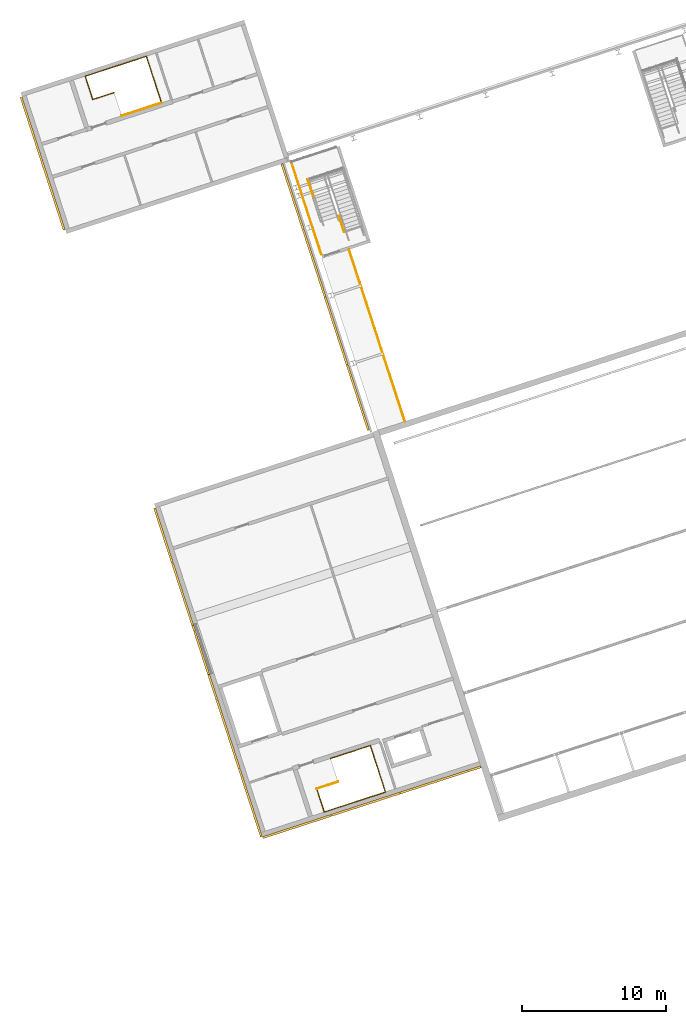
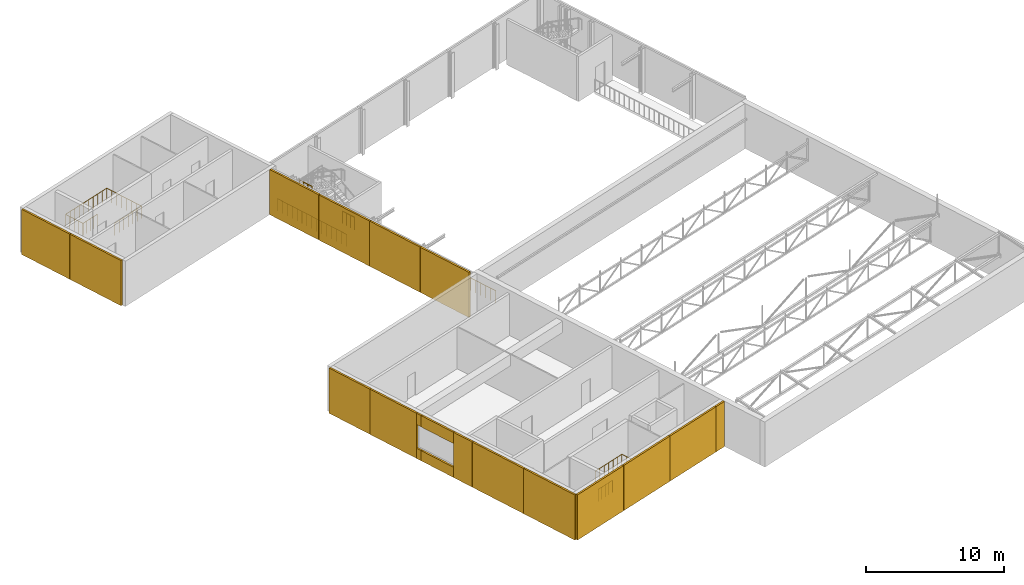
# One storey, part 77 of 81: 19 coverings, 8 railings.
"""IFC4 building model written with IfcOpenShell, lengths in metres."""

from ifc_helpers import new_model, si_unit, direction, frame, origin, origin_2d, place, context, subcontext, project, spatial, polyline, circle, outline, extrude, material, layer, layer_set, type_object, element, save


model = new_model("IFC4")

# Units and contexts
model_context = context("Model", 3, precision=1e-05, world=origin(), true_north=direction((0.0, 1.0)))
body_context = subcontext(model_context, "Body", "Model", "MODEL_VIEW")
ifc_project = project(units=[si_unit("LENGTHUNIT", "METRE"), si_unit("AREAUNIT", "SQUARE_METRE"), si_unit("VOLUMEUNIT", "CUBIC_METRE"), si_unit("PLANEANGLEUNIT", "RADIAN"), si_unit("MASSUNIT", "GRAM", prefix="KILO")], contexts=[model_context])

# Site, building, storey
site_placement = place(None, origin())
site = spatial("IfcSite", under=ifc_project, at=site_placement, CompositionType="ELEMENT")
building_placement = place(site_placement, origin())
building = spatial("IfcBuilding", under=site, at=building_placement, Name="Tuart Plaza Theatre", CompositionType="ELEMENT")
storey_placement = place(building_placement, frame((0.0, 0.0, 17.5)))
storey = spatial("IfcBuildingStorey", under=building, at=storey_placement, Name="L04", CompositionType="ELEMENT", Elevation=17.5)

# Coverings
ifc_material_1 = material(Name="Zinc")
ifc_layer = layer(ifc_material_1, 0.14990234375)
ifc_layer_set = layer_set([ifc_layer], Name="COVERING-ZINC-RAINSCREEN150")
covering_type = type_object("IfcCoveringType", Name="COVERING-ZINC-RAINSCREEN150", PredefinedType="CLADDING", material=ifc_layer_set)
covering_1_placement = place(storey_placement, origin())
element("IfcCovering", 1, at=covering_1_placement, inside=storey, type_object=covering_type, Name="CL22", PredefinedType="CLADDING", context=body_context, shape_type="SweptSolid", body=[
    extrude(outline(polyline([(40.734130859375, 68.850830078125), (39.269287109375, 73.35888671875), (39.412109375, 73.4052734375), (40.876708984375, 68.897216796875), (40.734130859375, 68.850830078125)])), origin(), (0.0, 0.0, 1.0), 4.0),
])
covering_2_placement = place(storey_placement, origin())
element("IfcCovering", 2, at=covering_2_placement, inside=storey, type_object=covering_type, Name="CL23", PredefinedType="CLADDING", context=body_context, shape_type="SweptSolid", body=[
    extrude(outline(polyline([(39.26318359375, 73.3779296875), (37.73974609375, 78.066650390625), (37.88232421875, 78.113037109375), (39.406005859375, 73.42431640625), (39.26318359375, 73.3779296875)])), origin(), (0.0, 0.0, 1.0), 4.0),
])
covering_3_placement = place(storey_placement, origin())
element("IfcCovering", 3, at=covering_3_placement, inside=storey, type_object=covering_type, Name="CL24", PredefinedType="CLADDING", context=body_context, shape_type="SweptSolid", body=[
    extrude(outline(polyline([(37.733642578125, 78.085693359375), (36.210205078125, 82.7744140625), (36.352783203125, 82.82080078125), (37.876220703125, 78.132080078125), (37.733642578125, 78.085693359375)])), origin(), (0.0, 0.0, 1.0), 4.0),
])
covering_4_placement = place(storey_placement, origin())
element("IfcCovering", 4, at=covering_4_placement, inside=storey, type_object=covering_type, Name="CL25", PredefinedType="CLADDING", context=body_context, shape_type="SweptSolid", body=[
    extrude(outline(polyline([(36.203857421875, 82.793212890625), (34.7236328125, 87.348876953125), (34.866455078125, 87.395263671875), (36.3466796875, 82.839599609375), (36.203857421875, 82.793212890625)])), origin(), (0.0, 0.0, 1.0), 4.0),
])
covering_5_placement = place(storey_placement, origin())
element("IfcCovering", 5, at=covering_5_placement, inside=storey, type_object=covering_type, Name="CL182", PredefinedType="CLADDING", context=body_context, shape_type="SweptSolid", body=[
    extrude(outline(polyline([(33.45068359375, 40.6708984375), (38.196533203125, 42.212890625), (38.242919921875, 42.0703125), (33.4970703125, 40.5283203125), (33.45068359375, 40.6708984375)])), origin(), (0.0, 0.0, 1.0), 4.0),
])
covering_6_placement = place(storey_placement, origin())
element("IfcCovering", 6, at=covering_6_placement, inside=storey, type_object=covering_type, Name="CL183", PredefinedType="CLADDING", context=body_context, shape_type="SweptSolid", body=[
    extrude(outline(polyline([(38.215576171875, 42.218994140625), (42.951904296875, 43.758056640625), (42.998046875, 43.615478515625), (38.261962890625, 42.076416015625), (38.215576171875, 42.218994140625)])), origin(), (0.0, 0.0, 1.0), 4.0),
])
covering_7_placement = place(storey_placement, origin())
element("IfcCovering", 7, at=covering_7_placement, inside=storey, type_object=covering_type, Name="CL184", PredefinedType="CLADDING", context=body_context, shape_type="SweptSolid", body=[
    extrude(outline(polyline([(42.970703125, 43.76416015625), (47.70703125, 45.302978515625), (47.75341796875, 45.160400390625), (43.01708984375, 43.62158203125), (42.970703125, 43.76416015625)])), origin(), (0.0, 0.0, 1.0), 4.0),
])
covering_8_placement = place(storey_placement, origin())
element("IfcCovering", 8, at=covering_8_placement, inside=storey, type_object=covering_type, Name="CL185", PredefinedType="CLADDING", context=body_context, shape_type="SweptSolid", body=[
    extrude(outline(polyline([(47.72607421875, 45.309326171875), (48.59619140625, 45.592041015625), (48.642578125, 45.449462890625), (47.7724609375, 45.16650390625), (47.72607421875, 45.309326171875)])), origin(), (0.0, 0.0, 1.0), 4.0),
])
covering_9_placement = place(storey_placement, origin())
element("IfcCovering", 9, at=covering_9_placement, inside=storey, type_object=covering_type, Name="CL186", PredefinedType="CLADDING", context=body_context, shape_type="SweptSolid", body=[
    extrude(outline(polyline([(33.30810546875, 40.62451171875), (31.76611328125, 45.370361328125), (31.90869140625, 45.416748046875), (33.45068359375, 40.6708984375), (33.30810546875, 40.62451171875)])), origin(), (0.0, 0.0, 1.0), 4.0),
])
covering_10_placement = place(storey_placement, origin())
element("IfcCovering", 10, at=covering_10_placement, inside=storey, type_object=covering_type, Name="CL187", PredefinedType="CLADDING", context=body_context, shape_type="SweptSolid", body=[
    extrude(outline(polyline([(31.760009765625, 45.389404296875), (30.220947265625, 50.12548828125), (30.363525390625, 50.172119140625), (31.902587890625, 45.435791015625), (31.760009765625, 45.389404296875)])), origin(), (0.0, 0.0, 1.0), 4.0),
])
covering_11_placement = place(storey_placement, origin())
element("IfcCovering", 11, at=covering_11_placement, inside=storey, type_object=covering_type, Name="CL188", PredefinedType="CLADDING", context=body_context, shape_type="SweptSolid", body=[
    extrude(outline(polyline([(30.21484375, 50.144775390625), (29.646240234375, 51.89453125), (29.788818359375, 51.94091796875), (30.357421875, 50.19091796875), (30.21484375, 50.144775390625)])), origin(), (0.0, 0.0, 1.0), 4.0),
])
covering_12_placement = place(storey_placement, origin())
element("IfcCovering", 12, at=covering_12_placement, inside=storey, type_object=covering_type, Name="CL189", PredefinedType="CLADDING", context=body_context, shape_type="SweptSolid", body=[
    extrude(outline(polyline([(29.646240234375, 51.89453125), (28.67578125, 54.880859375), (28.818603515625, 54.92724609375), (29.788818359375, 51.94091796875), (29.646240234375, 51.89453125)])), origin(), (0.0, 0.0, 1.0), 0.89990234375),
])
covering_13_placement = place(storey_placement, frame((0.0, 0.0, 3.0)))
element("IfcCovering", 13, at=covering_13_placement, inside=storey, type_object=covering_type, Name="CL190", PredefinedType="CLADDING", context=body_context, shape_type="SweptSolid", body=[
    extrude(outline(polyline([(29.646240234375, 51.89453125), (28.67578125, 54.880859375), (28.818603515625, 54.92724609375), (29.788818359375, 51.94091796875), (29.646240234375, 51.89453125)])), origin(), (0.0, 0.0, 1.0), 1.0),
])
covering_14_placement = place(storey_placement, origin())
element("IfcCovering", 14, at=covering_14_placement, inside=storey, type_object=covering_type, Name="CL191", PredefinedType="CLADDING", context=body_context, shape_type="SweptSolid", body=[
    extrude(outline(polyline([(28.669677734375, 54.89990234375), (28.53369140625, 55.318359375), (28.676513671875, 55.36474609375), (28.8125, 54.9462890625), (28.669677734375, 54.89990234375)])), origin(), (0.0, 0.0, 1.0), 0.89990234375),
])
covering_15_placement = place(storey_placement, frame((0.0, 0.0, 3.0)))
element("IfcCovering", 15, at=covering_15_placement, inside=storey, type_object=covering_type, Name="CL192", PredefinedType="CLADDING", context=body_context, shape_type="SweptSolid", body=[
    extrude(outline(polyline([(28.669677734375, 54.89990234375), (28.53369140625, 55.318359375), (28.676513671875, 55.36474609375), (28.8125, 54.9462890625), (28.669677734375, 54.89990234375)])), origin(), (0.0, 0.0, 1.0), 1.0),
])
covering_16_placement = place(storey_placement, origin())
element("IfcCovering", 16, at=covering_16_placement, inside=storey, type_object=covering_type, Name="CL193", PredefinedType="CLADDING", context=body_context, shape_type="SweptSolid", body=[
    extrude(outline(polyline([(28.53369140625, 55.318359375), (27.130859375, 59.63623046875), (27.2734375, 59.6826171875), (28.676513671875, 55.36474609375), (28.53369140625, 55.318359375)])), origin(), (0.0, 0.0, 1.0), 4.0),
])
covering_17_placement = place(storey_placement, origin())
element("IfcCovering", 17, at=covering_17_placement, inside=storey, type_object=covering_type, Name="CL194", PredefinedType="CLADDING", context=body_context, shape_type="SweptSolid", body=[
    extrude(outline(polyline([(27.12451171875, 59.6552734375), (25.8916015625, 63.449951171875), (26.0341796875, 63.496337890625), (27.267333984375, 59.70166015625), (27.12451171875, 59.6552734375)])), origin(), (0.0, 0.0, 1.0), 4.0),
])
covering_18_placement = place(storey_placement, origin())
element("IfcCovering", 18, at=covering_18_placement, inside=storey, type_object=covering_type, Name="CL195", PredefinedType="CLADDING", context=body_context, shape_type="SweptSolid", body=[
    extrude(outline(polyline([(19.61865234375, 82.75634765625), (18.07666015625, 87.502197265625), (18.21923828125, 87.548583984375), (19.76123046875, 82.802734375), (19.61865234375, 82.75634765625)])), origin(), (0.0, 0.0, 1.0), 4.0),
])
covering_19_placement = place(storey_placement, origin())
element("IfcCovering", 19, at=covering_19_placement, inside=storey, type_object=covering_type, Name="CL196", PredefinedType="CLADDING", context=body_context, shape_type="SweptSolid", body=[
    extrude(outline(polyline([(18.0703125, 87.521240234375), (16.62109375, 91.981689453125), (16.763916015625, 92.028076171875), (18.213134765625, 87.5673828125), (18.0703125, 87.521240234375)])), origin(), (0.0, 0.0, 1.0), 4.0),
])

# Railings
ifc_material_2 = material(Name="Steel Grade C350L0", Category="steel")
railing_type = type_object("IfcRailingType", Name="RAILING Guard 1100", PredefinedType="GUARDRAIL", material=ifc_material_2)
railing_1_placement = place(storey_placement, frame((37.217041015625, 43.99755859375, 0.0)))
element("IfcRailing", 20, at=railing_1_placement, inside=storey, type_object=railing_type, Name="GR16", PredefinedType="GUARDRAIL", context=body_context, shape_type="SweptSolid", body=[
    extrude(circle(Radius=0.02490234375, at=origin_2d()), frame((0.0, 0.0, 1.0751953125), z_axis=(0.951027146511, 0.309107370664, 0.0), x_axis=(-0.309107370664, 0.951027146511, 0.0)), (0.0, 0.0, 1.0), 1.55517578125),
    extrude(circle(Radius=0.02001953125, at=origin_2d()), origin(), (0.0, 0.0, 1.0), 1.050048828125),
    extrude(circle(Radius=0.02001953125, at=origin_2d()), frame((0.36962890625, 0.1201171875, 0.0)), (0.0, 0.0, 1.0), 1.050048828125),
    extrude(circle(Radius=0.02001953125, at=origin_2d()), frame((0.739501953125, 0.240234375, 0.0)), (0.0, 0.0, 1.0), 1.050048828125),
    extrude(circle(Radius=0.02001953125, at=origin_2d()), frame((1.109375, 0.360595703125, 0.0)), (0.0, 0.0, 1.0), 1.050048828125),
    extrude(circle(Radius=0.02001953125, at=origin_2d()), frame((1.47900390625, 0.480712890625, 0.0)), (0.0, 0.0, 1.0), 1.050048828125),
])
railing_2_placement = place(storey_placement, frame((38.181640625, 46.077392578125, 0.0)))
element("IfcRailing", 21, at=railing_2_placement, inside=storey, type_object=railing_type, Name="GR17", PredefinedType="GUARDRAIL", context=body_context, shape_type="SweptSolid", body=[
    extrude(circle(Radius=0.02490234375, at=origin_2d()), frame((0.0, 0.0, 1.0751953125), z_axis=(-0.316227766017, 0.948683298051, 0.0), x_axis=(-0.948683298051, -0.316227766017, 0.0)), (0.0, 0.0, 1.0), 0.02001953125),
    extrude(circle(Radius=0.02490234375, at=origin_2d()), frame((-0.00634765625, 0.01904296875, 1.0751953125), z_axis=(0.951047059821, 0.309046096893, 0.0), x_axis=(-0.309046096893, 0.951047059821, 0.0)), (0.0, 0.0, 1.0), 2.89990234375),
    extrude(circle(Radius=0.02490234375, at=origin_2d()), frame((2.751708984375, 0.915283203125, 1.0751953125), z_axis=(0.309045481752, -0.951047259714, 0.0), x_axis=(0.951047259714, 0.309045481752, 0.0)), (0.0, 0.0, 1.0), 3.400146484375),
    extrude(circle(Radius=0.02490234375, at=origin_2d()), frame((3.802490234375, -2.318359375, 1.0751953125), z_axis=(-0.951059006692, -0.309009329618, 0.0), x_axis=(0.309009329618, -0.951059006692, 0.0)), (0.0, 0.0, 1.0), 4.4599609375),
    extrude(circle(Radius=0.02490234375, at=origin_2d()), frame((-0.439208984375, -3.696533203125, 1.0751953125), z_axis=(-0.309066587596, 0.951040401051, 0.0), x_axis=(-0.951040401051, -0.309066587596, 0.0)), (0.0, 0.0, 1.0), 1.699951171875),
    extrude(circle(Radius=0.02001953125, at=origin_2d()), origin(), (0.0, 0.0, 1.0), 1.050048828125),
    extrude(circle(Radius=0.02001953125, at=origin_2d()), frame((-0.00634765625, 0.01904296875, 0.0)), (0.0, 0.0, 1.0), 1.050048828125),
    extrude(circle(Radius=0.02001953125, at=origin_2d()), frame((0.453369140625, 0.16845703125, 0.0)), (0.0, 0.0, 1.0), 1.050048828125),
    extrude(circle(Radius=0.02001953125, at=origin_2d()), frame((0.9130859375, 0.31787109375, 0.0)), (0.0, 0.0, 1.0), 1.050048828125),
    extrude(circle(Radius=0.02001953125, at=origin_2d()), frame((1.37255859375, 0.46728515625, 0.0)), (0.0, 0.0, 1.0), 1.050048828125),
    extrude(circle(Radius=0.02001953125, at=origin_2d()), frame((1.832275390625, 0.616455078125, 0.0)), (0.0, 0.0, 1.0), 1.050048828125),
    extrude(circle(Radius=0.02001953125, at=origin_2d()), frame((2.2919921875, 0.765869140625, 0.0)), (0.0, 0.0, 1.0), 1.050048828125),
    extrude(circle(Radius=0.02001953125, at=origin_2d()), frame((2.751708984375, 0.915283203125, 0.0)), (0.0, 0.0, 1.0), 1.050048828125),
    extrude(circle(Radius=0.02001953125, at=origin_2d()), frame((2.90185546875, 0.453369140625, 0.0)), (0.0, 0.0, 1.0), 1.050048828125),
    extrude(circle(Radius=0.02001953125, at=origin_2d()), frame((3.052001953125, -0.008544921875, 0.0)), (0.0, 0.0, 1.0), 1.050048828125),
    extrude(circle(Radius=0.02001953125, at=origin_2d()), frame((3.2021484375, -0.470458984375, 0.0)), (0.0, 0.0, 1.0), 1.050048828125),
    extrude(circle(Radius=0.02001953125, at=origin_2d()), frame((3.35205078125, -0.9326171875, 0.0)), (0.0, 0.0, 1.0), 1.050048828125),
    extrude(circle(Radius=0.02001953125, at=origin_2d()), frame((3.502197265625, -1.39453125, 0.0)), (0.0, 0.0, 1.0), 1.050048828125),
    extrude(circle(Radius=0.02001953125, at=origin_2d()), frame((3.65234375, -1.8564453125, 0.0)), (0.0, 0.0, 1.0), 1.050048828125),
    extrude(circle(Radius=0.02001953125, at=origin_2d()), frame((3.802490234375, -2.318359375, 0.0)), (0.0, 0.0, 1.0), 1.050048828125),
    extrude(circle(Radius=0.02001953125, at=origin_2d()), frame((3.331298828125, -2.471435546875, 0.0)), (0.0, 0.0, 1.0), 1.050048828125),
    extrude(circle(Radius=0.02001953125, at=origin_2d()), frame((2.85986328125, -2.62451171875, 0.0)), (0.0, 0.0, 1.0), 1.050048828125),
    extrude(circle(Radius=0.02001953125, at=origin_2d()), frame((2.388671875, -2.77783203125, 0.0)), (0.0, 0.0, 1.0), 1.050048828125),
    extrude(circle(Radius=0.02001953125, at=origin_2d()), frame((1.917236328125, -2.930908203125, 0.0)), (0.0, 0.0, 1.0), 1.050048828125),
    extrude(circle(Radius=0.02001953125, at=origin_2d()), frame((1.446044921875, -3.083984375, 0.0)), (0.0, 0.0, 1.0), 1.050048828125),
    extrude(circle(Radius=0.02001953125, at=origin_2d()), frame((0.974609375, -3.237060546875, 0.0)), (0.0, 0.0, 1.0), 1.050048828125),
    extrude(circle(Radius=0.02001953125, at=origin_2d()), frame((0.50341796875, -3.390380859375, 0.0)), (0.0, 0.0, 1.0), 1.050048828125),
    extrude(circle(Radius=0.02001953125, at=origin_2d()), frame((0.031982421875, -3.54345703125, 0.0)), (0.0, 0.0, 1.0), 1.050048828125),
    extrude(circle(Radius=0.02001953125, at=origin_2d()), frame((-0.439208984375, -3.696533203125, 0.0)), (0.0, 0.0, 1.0), 1.050048828125),
    extrude(circle(Radius=0.02001953125, at=origin_2d()), frame((-0.570556640625, -3.29248046875, 0.0)), (0.0, 0.0, 1.0), 1.050048828125),
    extrude(circle(Radius=0.02001953125, at=origin_2d()), frame((-0.701904296875, -2.88818359375, 0.0)), (0.0, 0.0, 1.0), 1.050048828125),
    extrude(circle(Radius=0.02001953125, at=origin_2d()), frame((-0.833251953125, -2.48388671875, 0.0)), (0.0, 0.0, 1.0), 1.050048828125),
    extrude(circle(Radius=0.02001953125, at=origin_2d()), frame((-0.964599609375, -2.079833984375, 0.0)), (0.0, 0.0, 1.0), 1.050048828125),
])
railing_3_placement = place(storey_placement, frame((26.4404296875, 91.59716796875, 0.0)))
element("IfcRailing", 22, at=railing_3_placement, inside=storey, type_object=railing_type, Name="GR34", PredefinedType="GUARDRAIL", context=body_context, shape_type="SweptSolid", body=[
    extrude(circle(Radius=0.02490234375, at=origin_2d()), frame((0.0, 0.0, 1.0751953125), z_axis=(-0.951039018312, -0.309070842442, 0.0), x_axis=(0.309070842442, -0.951039018312, 0.0)), (0.0, 0.0, 1.0), 2.89990234375),
    extrude(circle(Radius=0.02490234375, at=origin_2d()), frame((-2.7578125, -0.896240234375, 1.0751953125), z_axis=(-0.316227766017, 0.948683298051, 0.0), x_axis=(-0.948683298051, -0.316227766017, 0.0)), (0.0, 0.0, 1.0), 0.02001953125),
    extrude(circle(Radius=0.02001953125, at=origin_2d()), origin(), (0.0, 0.0, 1.0), 1.050048828125),
    extrude(circle(Radius=0.02001953125, at=origin_2d()), frame((-0.459716796875, -0.1494140625, 0.0)), (0.0, 0.0, 1.0), 1.050048828125),
    extrude(circle(Radius=0.02001953125, at=origin_2d()), frame((-0.919189453125, -0.298828125, 0.0)), (0.0, 0.0, 1.0), 1.050048828125),
    extrude(circle(Radius=0.02001953125, at=origin_2d()), frame((-1.37890625, -0.4482421875, 0.0)), (0.0, 0.0, 1.0), 1.050048828125),
    extrude(circle(Radius=0.02001953125, at=origin_2d()), frame((-1.838623046875, -0.597412109375, 0.0)), (0.0, 0.0, 1.0), 1.050048828125),
    extrude(circle(Radius=0.02001953125, at=origin_2d()), frame((-2.298095703125, -0.746826171875, 0.0)), (0.0, 0.0, 1.0), 1.050048828125),
    extrude(circle(Radius=0.02001953125, at=origin_2d()), frame((-2.7578125, -0.896240234375, 0.0)), (0.0, 0.0, 1.0), 1.050048828125),
    extrude(circle(Radius=0.02001953125, at=origin_2d()), frame((-2.76416015625, -0.877197265625, 0.0)), (0.0, 0.0, 1.0), 1.050048828125),
])
railing_4_placement = place(storey_placement, frame((23.15234375, 92.316162109375, 0.0)))
element("IfcRailing", 23, at=railing_4_placement, inside=storey, type_object=railing_type, Name="GR35", PredefinedType="GUARDRAIL", context=body_context, shape_type="SweptSolid", body=[
    extrude(circle(Radius=0.02490234375, at=origin_2d()), frame((0.0, 0.0, 1.0751953125), z_axis=(-0.951058297536, -0.309011512226, 0.0), x_axis=(0.309011512226, -0.951058297536, 0.0)), (0.0, 0.0, 1.0), 1.554931640625),
    extrude(circle(Radius=0.02490234375, at=origin_2d()), frame((-1.478759765625, -0.48046875, 1.0751953125), z_axis=(-0.309024378638, 0.951054116971, 0.0), x_axis=(-0.951054116971, -0.309024378638, 0.0)), (0.0, 0.0, 1.0), 1.7001953125),
    extrude(circle(Radius=0.02490234375, at=origin_2d()), frame((-2.004150390625, 1.136474609375, 1.0751953125), z_axis=(0.951059006692, 0.309009329618, 0.0), x_axis=(-0.309009329618, 0.951059006692, 0.0)), (0.0, 0.0, 1.0), 4.4599609375),
    extrude(circle(Radius=0.02490234375, at=origin_2d()), frame((2.237548828125, 2.5146484375, 1.0751953125), z_axis=(0.308980533303, -0.951068362443, 0.0), x_axis=(0.951068362443, 0.308980533303, 0.0)), (0.0, 0.0, 1.0), 3.39990234375),
    extrude(circle(Radius=0.02001953125, at=origin_2d()), origin(), (0.0, 0.0, 1.0), 1.050048828125),
    extrude(circle(Radius=0.02001953125, at=origin_2d()), frame((-0.36962890625, -0.1201171875, 0.0)), (0.0, 0.0, 1.0), 1.050048828125),
    extrude(circle(Radius=0.02001953125, at=origin_2d()), frame((-0.7392578125, -0.240234375, 0.0)), (0.0, 0.0, 1.0), 1.050048828125),
    extrude(circle(Radius=0.02001953125, at=origin_2d()), frame((-1.109130859375, -0.3603515625, 0.0)), (0.0, 0.0, 1.0), 1.050048828125),
    extrude(circle(Radius=0.02001953125, at=origin_2d()), frame((-1.478759765625, -0.48046875, 0.0)), (0.0, 0.0, 1.0), 1.050048828125),
    extrude(circle(Radius=0.02001953125, at=origin_2d()), frame((-1.610107421875, -0.076171875, 0.0)), (0.0, 0.0, 1.0), 1.050048828125),
    extrude(circle(Radius=0.02001953125, at=origin_2d()), frame((-1.741455078125, 0.328125, 0.0)), (0.0, 0.0, 1.0), 1.050048828125),
    extrude(circle(Radius=0.02001953125, at=origin_2d()), frame((-1.872802734375, 0.732177734375, 0.0)), (0.0, 0.0, 1.0), 1.050048828125),
    extrude(circle(Radius=0.02001953125, at=origin_2d()), frame((-2.004150390625, 1.136474609375, 0.0)), (0.0, 0.0, 1.0), 1.050048828125),
    extrude(circle(Radius=0.02001953125, at=origin_2d()), frame((-1.532958984375, 1.28955078125, 0.0)), (0.0, 0.0, 1.0), 1.050048828125),
    extrude(circle(Radius=0.02001953125, at=origin_2d()), frame((-1.0615234375, 1.442626953125, 0.0)), (0.0, 0.0, 1.0), 1.050048828125),
    extrude(circle(Radius=0.02001953125, at=origin_2d()), frame((-0.59033203125, 1.595947265625, 0.0)), (0.0, 0.0, 1.0), 1.050048828125),
    extrude(circle(Radius=0.02001953125, at=origin_2d()), frame((-0.118896484375, 1.7490234375, 0.0)), (0.0, 0.0, 1.0), 1.050048828125),
    extrude(circle(Radius=0.02001953125, at=origin_2d()), frame((0.352294921875, 1.902099609375, 0.0)), (0.0, 0.0, 1.0), 1.050048828125),
    extrude(circle(Radius=0.02001953125, at=origin_2d()), frame((0.82373046875, 2.05517578125, 0.0)), (0.0, 0.0, 1.0), 1.050048828125),
    extrude(circle(Radius=0.02001953125, at=origin_2d()), frame((1.294921875, 2.20849609375, 0.0)), (0.0, 0.0, 1.0), 1.050048828125),
    extrude(circle(Radius=0.02001953125, at=origin_2d()), frame((1.766357421875, 2.361572265625, 0.0)), (0.0, 0.0, 1.0), 1.050048828125),
    extrude(circle(Radius=0.02001953125, at=origin_2d()), frame((2.237548828125, 2.5146484375, 0.0)), (0.0, 0.0, 1.0), 1.050048828125),
    extrude(circle(Radius=0.02001953125, at=origin_2d()), frame((2.3876953125, 2.052734375, 0.0)), (0.0, 0.0, 1.0), 1.050048828125),
    extrude(circle(Radius=0.02001953125, at=origin_2d()), frame((2.53759765625, 1.5908203125, 0.0)), (0.0, 0.0, 1.0), 1.050048828125),
    extrude(circle(Radius=0.02001953125, at=origin_2d()), frame((2.687744140625, 1.12890625, 0.0)), (0.0, 0.0, 1.0), 1.050048828125),
    extrude(circle(Radius=0.02001953125, at=origin_2d()), frame((2.837890625, 0.666748046875, 0.0)), (0.0, 0.0, 1.0), 1.050048828125),
    extrude(circle(Radius=0.02001953125, at=origin_2d()), frame((2.988037109375, 0.204833984375, 0.0)), (0.0, 0.0, 1.0), 1.050048828125),
    extrude(circle(Radius=0.02001953125, at=origin_2d()), frame((3.137939453125, -0.257080078125, 0.0)), (0.0, 0.0, 1.0), 1.050048828125),
    extrude(circle(Radius=0.02001953125, at=origin_2d()), frame((3.2880859375, -0.718994140625, 0.0)), (0.0, 0.0, 1.0), 1.050048828125),
])
railing_5_placement = place(storey_placement, frame((39.114013671875, 82.65576171875, 0.0)))
element("IfcRailing", 24, at=railing_5_placement, inside=storey, type_object=railing_type, Name="GR60", PredefinedType="GUARDRAIL", context=body_context, shape_type="SweptSolid", body=[
    extrude(circle(Radius=0.02490234375, at=origin_2d()), frame((0.0, 0.0, 1.0751953125), z_axis=(-0.309181642965, 0.951003002968, 0.0), x_axis=(-0.951003002968, -0.309181642965, 0.0)), (0.0, 0.0, 1.0), 1.1552734375),
    extrude(circle(Radius=0.02001953125, at=origin_2d()), origin(), (0.0, 0.0, 1.0), 1.050048828125),
    extrude(circle(Radius=0.02001953125, at=origin_2d()), frame((-0.119140625, 0.3662109375, 0.0)), (0.0, 0.0, 1.0), 1.050048828125),
    extrude(circle(Radius=0.02001953125, at=origin_2d()), frame((-0.238037109375, 0.732421875, 0.0)), (0.0, 0.0, 1.0), 1.050048828125),
    extrude(circle(Radius=0.02001953125, at=origin_2d()), frame((-0.357177734375, 1.0986328125, 0.0)), (0.0, 0.0, 1.0), 1.050048828125),
])
railing_6_placement = place(storey_placement, frame((36.593994140625, 86.284912109375, 2.0)))
element("IfcRailing", 25, at=railing_6_placement, inside=storey, type_object=railing_type, Name="GR67", PredefinedType="GUARDRAIL", context=body_context, shape_type="SweptSolid", body=[
    extrude(circle(Radius=0.02490234375, at=origin_2d()), frame((0.0, 0.0, 1.0751953125), z_axis=(0.309014268544, -0.951057401967, 0.0), x_axis=(0.951057401967, 0.309014268544, 0.0)), (0.0, 0.0, 1.0), 1.230224609375),
    extrude(circle(Radius=0.02001953125, at=origin_2d()), origin(), (0.0, 0.0, 1.0), 1.050048828125),
    extrude(circle(Radius=0.02001953125, at=origin_2d()), frame((0.126708984375, -0.389892578125, 0.0)), (0.0, 0.0, 1.0), 1.050048828125),
    extrude(circle(Radius=0.02001953125, at=origin_2d()), frame((0.25341796875, -0.780029296875, 0.0)), (0.0, 0.0, 1.0), 1.050048828125),
    extrude(circle(Radius=0.02001953125, at=origin_2d()), frame((0.380126953125, -1.169921875, 0.0)), (0.0, 0.0, 1.0), 1.050048828125),
])
railing_7_placement = place(storey_placement, frame((35.45068359375, 87.50634765625, 0.0)))
element("IfcRailing", 26, at=railing_7_placement, inside=storey, type_object=railing_type, Name="GR101", PredefinedType="GUARDRAIL", context=body_context, shape_type="SweptSolid", body=[
    extrude(circle(Radius=0.02490234375, at=origin_2d()), frame((0.0, 0.0, 1.0751953125), z_axis=(0.309019159347, -0.95105581285, 0.0), x_axis=(0.95105581285, 0.309019159347, 0.0)), (0.0, 0.0, 1.0), 6.76513671875),
    extrude(circle(Radius=0.02001953125, at=origin_2d()), origin(), (0.0, 0.0, 1.0), 1.050048828125),
    extrude(circle(Radius=0.02001953125, at=origin_2d()), frame((0.1494140625, -0.45947265625, 0.0)), (0.0, 0.0, 1.0), 1.050048828125),
    extrude(circle(Radius=0.02001953125, at=origin_2d()), frame((0.298583984375, -0.919189453125, 0.0)), (0.0, 0.0, 1.0), 1.050048828125),
    extrude(circle(Radius=0.02001953125, at=origin_2d()), frame((0.447998046875, -1.378662109375, 0.0)), (0.0, 0.0, 1.0), 1.050048828125),
    extrude(circle(Radius=0.02001953125, at=origin_2d()), frame((0.597412109375, -1.83837890625, 0.0)), (0.0, 0.0, 1.0), 1.050048828125),
    extrude(circle(Radius=0.02001953125, at=origin_2d()), frame((0.74658203125, -2.2978515625, 0.0)), (0.0, 0.0, 1.0), 1.050048828125),
    extrude(circle(Radius=0.02001953125, at=origin_2d()), frame((0.89599609375, -2.757568359375, 0.0)), (0.0, 0.0, 1.0), 1.050048828125),
    extrude(circle(Radius=0.02001953125, at=origin_2d()), frame((1.04541015625, -3.217041015625, 0.0)), (0.0, 0.0, 1.0), 1.050048828125),
    extrude(circle(Radius=0.02001953125, at=origin_2d()), frame((1.194580078125, -3.676513671875, 0.0)), (0.0, 0.0, 1.0), 1.050048828125),
    extrude(circle(Radius=0.02001953125, at=origin_2d()), frame((1.343994140625, -4.13623046875, 0.0)), (0.0, 0.0, 1.0), 1.050048828125),
    extrude(circle(Radius=0.02001953125, at=origin_2d()), frame((1.4931640625, -4.595703125, 0.0)), (0.0, 0.0, 1.0), 1.050048828125),
    extrude(circle(Radius=0.02001953125, at=origin_2d()), frame((1.642578125, -5.055419921875, 0.0)), (0.0, 0.0, 1.0), 1.050048828125),
    extrude(circle(Radius=0.02001953125, at=origin_2d()), frame((1.7919921875, -5.514892578125, 0.0)), (0.0, 0.0, 1.0), 1.050048828125),
    extrude(circle(Radius=0.02001953125, at=origin_2d()), frame((1.941162109375, -5.974609375, 0.0)), (0.0, 0.0, 1.0), 1.050048828125),
    extrude(circle(Radius=0.02001953125, at=origin_2d()), frame((2.090576171875, -6.43408203125, 0.0)), (0.0, 0.0, 1.0), 1.050048828125),
])
railing_8_placement = place(storey_placement, frame((43.335693359375, 69.48583984375, 0.0)))
element("IfcRailing", 27, at=railing_8_placement, inside=storey, type_object=railing_type, Name="GR119", PredefinedType="GUARDRAIL", context=body_context, shape_type="SweptSolid", body=[
    extrude(circle(Radius=0.02490234375, at=origin_2d()), frame((0.0, 0.0, 1.0751953125), z_axis=(-0.309017011458, 0.951056510744, 0.0), x_axis=(-0.951056510744, -0.309017011458, 0.0)), (0.0, 0.0, 1.0), 12.550048828125),
    extrude(circle(Radius=0.02001953125, at=origin_2d()), origin(), (0.0, 0.0, 1.0), 1.050048828125),
    extrude(circle(Radius=0.02001953125, at=origin_2d()), frame((-0.149169921875, 0.458984375, 0.0)), (0.0, 0.0, 1.0), 1.050048828125),
    extrude(circle(Radius=0.02001953125, at=origin_2d()), frame((-0.29833984375, 0.918212890625, 0.0)), (0.0, 0.0, 1.0), 1.050048828125),
    extrude(circle(Radius=0.02001953125, at=origin_2d()), frame((-0.447509765625, 1.377197265625, 0.0)), (0.0, 0.0, 1.0), 1.050048828125),
    extrude(circle(Radius=0.02001953125, at=origin_2d()), frame((-0.5966796875, 1.836181640625, 0.0)), (0.0, 0.0, 1.0), 1.050048828125),
    extrude(circle(Radius=0.02001953125, at=origin_2d()), frame((-0.745849609375, 2.29541015625, 0.0)), (0.0, 0.0, 1.0), 1.050048828125),
    extrude(circle(Radius=0.02001953125, at=origin_2d()), frame((-0.89501953125, 2.75439453125, 0.0)), (0.0, 0.0, 1.0), 1.050048828125),
    extrude(circle(Radius=0.02001953125, at=origin_2d()), frame((-1.044189453125, 3.21337890625, 0.0)), (0.0, 0.0, 1.0), 1.050048828125),
    extrude(circle(Radius=0.02001953125, at=origin_2d()), frame((-1.193359375, 3.672607421875, 0.0)), (0.0, 0.0, 1.0), 1.050048828125),
    extrude(circle(Radius=0.02001953125, at=origin_2d()), frame((-1.342529296875, 4.131591796875, 0.0)), (0.0, 0.0, 1.0), 1.050048828125),
    extrude(circle(Radius=0.02001953125, at=origin_2d()), frame((-1.49169921875, 4.590576171875, 0.0)), (0.0, 0.0, 1.0), 1.050048828125),
    extrude(circle(Radius=0.02001953125, at=origin_2d()), frame((-1.640869140625, 5.0498046875, 0.0)), (0.0, 0.0, 1.0), 1.050048828125),
    extrude(circle(Radius=0.02001953125, at=origin_2d()), frame((-1.7900390625, 5.5087890625, 0.0)), (0.0, 0.0, 1.0), 1.050048828125),
    extrude(circle(Radius=0.02001953125, at=origin_2d()), frame((-1.93896484375, 5.9677734375, 0.0)), (0.0, 0.0, 1.0), 1.050048828125),
    extrude(circle(Radius=0.02001953125, at=origin_2d()), frame((-2.088134765625, 6.427001953125, 0.0)), (0.0, 0.0, 1.0), 1.050048828125),
    extrude(circle(Radius=0.02001953125, at=origin_2d()), frame((-2.2373046875, 6.885986328125, 0.0)), (0.0, 0.0, 1.0), 1.050048828125),
    extrude(circle(Radius=0.02001953125, at=origin_2d()), frame((-2.386474609375, 7.34521484375, 0.0)), (0.0, 0.0, 1.0), 1.050048828125),
    extrude(circle(Radius=0.02001953125, at=origin_2d()), frame((-2.53564453125, 7.80419921875, 0.0)), (0.0, 0.0, 1.0), 1.050048828125),
    extrude(circle(Radius=0.02001953125, at=origin_2d()), frame((-2.684814453125, 8.26318359375, 0.0)), (0.0, 0.0, 1.0), 1.050048828125),
    extrude(circle(Radius=0.02001953125, at=origin_2d()), frame((-2.833984375, 8.722412109375, 0.0)), (0.0, 0.0, 1.0), 1.050048828125),
    extrude(circle(Radius=0.02001953125, at=origin_2d()), frame((-2.983154296875, 9.181396484375, 0.0)), (0.0, 0.0, 1.0), 1.050048828125),
    extrude(circle(Radius=0.02001953125, at=origin_2d()), frame((-3.13232421875, 9.640380859375, 0.0)), (0.0, 0.0, 1.0), 1.050048828125),
    extrude(circle(Radius=0.02001953125, at=origin_2d()), frame((-3.281494140625, 10.099609375, 0.0)), (0.0, 0.0, 1.0), 1.050048828125),
    extrude(circle(Radius=0.02001953125, at=origin_2d()), frame((-3.4306640625, 10.55859375, 0.0)), (0.0, 0.0, 1.0), 1.050048828125),
    extrude(circle(Radius=0.02001953125, at=origin_2d()), frame((-3.579833984375, 11.017578125, 0.0)), (0.0, 0.0, 1.0), 1.050048828125),
    extrude(circle(Radius=0.02001953125, at=origin_2d()), frame((-3.72900390625, 11.476806640625, 0.0)), (0.0, 0.0, 1.0), 1.050048828125),
    extrude(circle(Radius=0.02001953125, at=origin_2d()), frame((-3.878173828125, 11.935791015625, 0.0)), (0.0, 0.0, 1.0), 1.050048828125),
])

save(model, "model.ifc")
